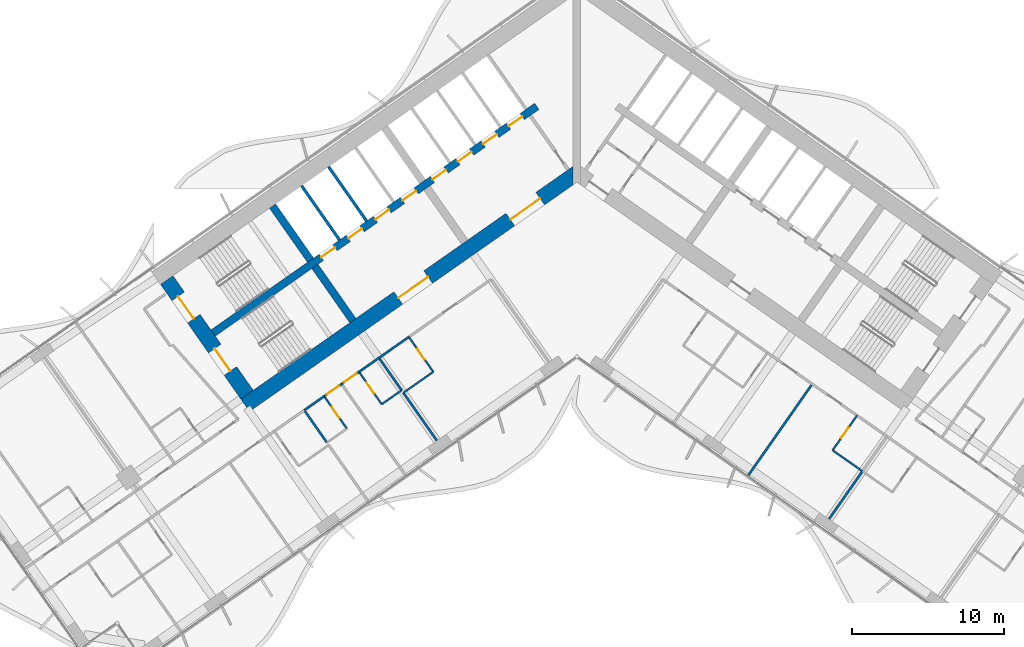
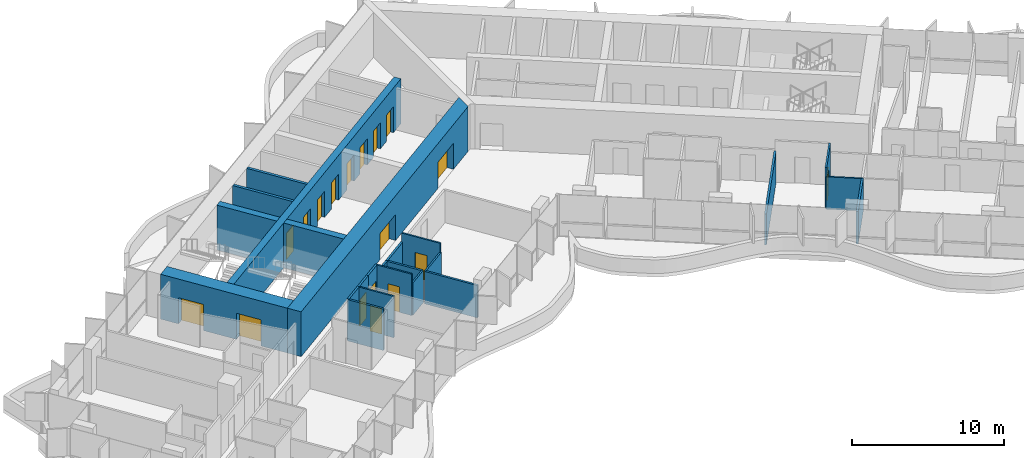
# One storey, part 13 of 23: 24 walls, 18 doors, 18 openings.
"""IFC4 building model written with IfcOpenShell, lengths in metres."""

from ifc_helpers import new_model, si_unit, direction, frame, frame_2d, origin, place, context, subcontext, project, spatial, polyline, rectangle, outline, extrude, material, layer, layer_set, type_object, element, fill, save


model = new_model("IFC4")

# Units and contexts
model_context = context("Model", 3, precision=1e-05, world=origin(), true_north=direction((0.0, 1.0)))
body_context = subcontext(model_context, "Body", "Model", "MODEL_VIEW")
ifc_project = project(units=[si_unit("LENGTHUNIT", "METRE"), si_unit("AREAUNIT", "SQUARE_METRE"), si_unit("VOLUMEUNIT", "CUBIC_METRE"), si_unit("PLANEANGLEUNIT", "RADIAN"), si_unit("MASSUNIT", "GRAM", prefix="KILO")], contexts=[model_context])

# Site, building, storey
site_placement = place(None, origin())
site = spatial("IfcSite", under=ifc_project, at=site_placement, CompositionType="ELEMENT")
building_placement = place(site_placement, origin())
building = spatial("IfcBuilding", under=site, at=building_placement, Name="Tel Ilan Convention Tower", CompositionType="ELEMENT")
storey_placement = place(building_placement, frame((0.0, 0.0, 101.300048828125)))
storey = spatial("IfcBuildingStorey", under=building, at=storey_placement, Name="L21", CompositionType="ELEMENT", Elevation=101.300048828125)

# Wall, openings, doors
ifc_material_1 = material(Name="Concrete C60/75", Category="concrete")
ifc_layer_1 = layer(ifc_material_1, 1.0)
ifc_layer_set_1 = layer_set([ifc_layer_1], Name="Core Shear Wall 1000 mm C60/75")
wall_type_1 = type_object("IfcWallType", Name="Core Shear Wall 1000 mm C60/75", PredefinedType="SHEAR", material=ifc_layer_set_1)
wall_1_placement = place(storey_placement, frame((0.036865234375, -0.584716796875, 0.0), z_axis=(0.0, 0.0, 1.0), x_axis=(-0.819157152511, -0.573569140985, 0.0)))
wall_1 = element("IfcWall", 1, at=wall_1_placement, inside=storey, type_object=wall_type_1, Name="L21 core wall W-front", PredefinedType="SHEAR", context=body_context, shape_type="SweptSolid", body=[
    extrude(outline(polyline([(26.69482421875, 0.500244140625), (0.7001953125, 0.499755859375), (0.0, -0.5), (26.69482421875, -0.499755859375), (26.69482421875, 0.500244140625)])), origin(), (0.0, 0.0, 1.0), 3.599853515625),
])
opening_1_placement = place(wall_1_placement, frame((2.994873046875, 0.0, 0.0)))
opening_1 = element("IfcOpeningElement", 2, at=opening_1_placement, cuts=wall_1, Name="Opening CD1905", PredefinedType="OPENING", context=body_context, shape_type="SweptSolid", body=[
    extrude(rectangle(XDim=2.39990234375, YDim=2.10009765625, at=frame_2d((1.199951171875, 1.050048828125))), frame((0.0, 0.510009765625, 0.0), z_axis=(0.0, -1.0, 0.0), x_axis=(1.0, 0.0, 0.0)), (0.0, 0.0, 1.0), 1.02001953125),
])
opening_2_placement = place(wall_1_placement, frame((11.994873046875, 0.0, 0.0)))
opening_2 = element("IfcOpeningElement", 3, at=opening_2_placement, cuts=wall_1, Name="Opening CD1906", PredefinedType="OPENING", context=body_context, shape_type="SweptSolid", body=[
    extrude(rectangle(XDim=2.39990234375, YDim=2.10009765625, at=frame_2d((1.199951171875, 1.050048828125))), frame((0.0, 0.510009765625, 0.0), z_axis=(0.0, -1.0, 0.0), x_axis=(1.0, 0.0, 0.0)), (0.0, 0.0, 1.0), 1.02001953125),
])
ifc_material_2 = material(Name="Glazed Aluminium Door Leaf", Category="aluminium")
door_type_1 = type_object("IfcDoorType", Name="Lobby Opening Door 2400 x 2100 FD60S", OperationType="NOTDEFINED", PredefinedType="DOOR", material=ifc_material_2)
door_1_placement = place(opening_1_placement, origin())
door_1 = element("IfcDoor", 4, at=door_1_placement, inside=storey, type_object=door_type_1, Name="Lift Lobby LR1-LR4 opening", OperationType="DOUBLE_DOOR_SINGLE_SWING", OverallHeight=2.10009765625, OverallWidth=2.39990234375, PredefinedType="DOOR", context=body_context, shape_type="SweptSolid", body=[
    extrude(rectangle(XDim=2.39990234375, YDim=2.10009765625, at=frame_2d((1.199951171875, 1.050048828125))), frame((0.0, 0.02490234375, 0.0), z_axis=(0.0, -1.0, 0.0), x_axis=(1.0, 0.0, 0.0)), (0.0, 0.0, 1.0), 0.050048828125),
])
fill(opening_1, door_1)
door_2_placement = place(opening_2_placement, origin())
door_2 = element("IfcDoor", 5, at=door_2_placement, inside=storey, type_object=door_type_1, Name="Lift Lobby LR5-LR8 opening", OperationType="DOUBLE_DOOR_SINGLE_SWING", OverallHeight=2.10009765625, OverallWidth=2.39990234375, PredefinedType="DOOR", context=body_context, shape_type="SweptSolid", body=[
    extrude(rectangle(XDim=2.39990234375, YDim=2.10009765625, at=frame_2d((1.199951171875, 1.050048828125))), frame((0.0, 0.02490234375, 0.0), z_axis=(0.0, -1.0, 0.0), x_axis=(1.0, 0.0, 0.0)), (0.0, 0.0, 1.0), 0.050048828125),
])
fill(opening_2, door_2)

wall_2_placement = place(storey_placement, frame((-21.70751953125, -15.19970703125, 0.0), z_axis=(0.0, 0.0, 1.0), x_axis=(-0.573576324356, 0.819152122709, 0.0)))
wall_2 = element("IfcWall", 6, at=wall_2_placement, inside=storey, type_object=wall_type_1, Name="L21 core wall W-end", PredefinedType="SHEAR", context=body_context, shape_type="SweptSolid", body=[
    extrude(outline(polyline([(0.0, 0.5), (0.0, -0.5), (9.199951171875, -0.5), (9.199951171875, 0.5), (0.0, 0.5)])), origin(), (0.0, 0.0, 1.0), 3.599853515625),
])
opening_3_placement = place(wall_2_placement, frame((6.10009765625, 0.0, 0.0)))
opening_3 = element("IfcOpeningElement", 7, at=opening_3_placement, cuts=wall_2, Name="Opening SD1901", PredefinedType="OPENING", context=body_context, shape_type="SweptSolid", body=[
    extrude(rectangle(XDim=1.800048828125, YDim=2.10009765625, at=frame_2d((0.89990234375, 1.050048828125))), frame((0.0, 0.510009765625, 0.0), z_axis=(0.0, -1.0, 0.0), x_axis=(1.0, 0.0, 0.0)), (0.0, 0.0, 1.0), 1.02001953125),
])
opening_4_placement = place(wall_2_placement, frame((1.89990234375, 0.0, 0.0)))
opening_4 = element("IfcOpeningElement", 8, at=opening_4_placement, cuts=wall_2, Name="Opening SD1902", PredefinedType="OPENING", context=body_context, shape_type="SweptSolid", body=[
    extrude(rectangle(XDim=1.800048828125, YDim=2.10009765625, at=frame_2d((0.89990234375, 1.050048828125))), frame((0.0, 0.510009765625, 0.0), z_axis=(0.0, -1.0, 0.0), x_axis=(1.0, 0.0, 0.0)), (0.0, 0.0, 1.0), 1.02001953125),
])
ifc_material_3 = material(Name="Galvanised Steel Door Leaf", Category="steel")
door_type_2 = type_object("IfcDoorType", Name="Stair Fire Door 1800 x 2100 FD60S", OperationType="NOTDEFINED", PredefinedType="DOOR", material=ifc_material_3)
door_3_placement = place(opening_3_placement, origin())
door_3 = element("IfcDoor", 9, at=door_3_placement, inside=storey, type_object=door_type_2, Name="Stair S1 door", OperationType="DOUBLE_DOOR_SINGLE_SWING", OverallHeight=2.10009765625, OverallWidth=1.800048828125, PredefinedType="DOOR", context=body_context, shape_type="SweptSolid", body=[
    extrude(rectangle(XDim=1.800048828125, YDim=2.10009765625, at=frame_2d((0.89990234375, 1.050048828125))), frame((0.0, 0.02490234375, 0.0), z_axis=(0.0, -1.0, 0.0), x_axis=(1.0, 0.0, 0.0)), (0.0, 0.0, 1.0), 0.050048828125),
])
fill(opening_3, door_3)
door_4_placement = place(opening_4_placement, origin())
door_4 = element("IfcDoor", 10, at=door_4_placement, inside=storey, type_object=door_type_2, Name="Stair S2 door", OperationType="DOUBLE_DOOR_SINGLE_SWING", OverallHeight=2.10009765625, OverallWidth=1.800048828125, PredefinedType="DOOR", context=body_context, shape_type="SweptSolid", body=[
    extrude(rectangle(XDim=1.800048828125, YDim=2.10009765625, at=frame_2d((0.89990234375, 1.050048828125))), frame((0.0, 0.02490234375, 0.0), z_axis=(0.0, -1.0, 0.0), x_axis=(1.0, 0.0, 0.0)), (0.0, 0.0, 1.0), 0.050048828125),
])
fill(opening_4, door_4)

# Walls
ifc_material_4 = material(Name="Concrete C60/75", Category="concrete")
ifc_layer_2 = layer(ifc_material_4, 0.5)
ifc_layer_set_2 = layer_set([ifc_layer_2], Name="Core Shear Wall 500 mm C60/75")
wall_type_2 = type_object("IfcWallType", Name="Core Shear Wall 500 mm C60/75", PredefinedType="SHEAR", material=ifc_layer_set_2)
wall_3_placement = place(storey_placement, frame((-14.74462890625, -10.324462890625, 0.0), z_axis=(0.0, 0.0, 1.0), x_axis=(-0.57356780395, 0.819158088694, 0.0)))
element("IfcWall", 11, at=wall_3_placement, inside=storey, type_object=wall_type_2, Name="L21 core wall W-cross2-1", PredefinedType="SHEAR", context=body_context, shape_type="SweptSolid", body=[
    extrude(outline(polyline([(4.35009765625, 0.250244140625), (0.0, 0.25), (0.0, -0.25), (4.35009765625, -0.25), (4.35009765625, 0.250244140625)])), origin(), (0.0, 0.0, 1.0), 3.599853515625),
])
wall_4_placement = place(storey_placement, frame((-17.526611328125, -6.3515625, 0.0), z_axis=(0.0, 0.0, 1.0), x_axis=(-0.573530143085, 0.819184457233, 0.0)))
element("IfcWall", 12, at=wall_4_placement, inside=storey, type_object=wall_type_2, Name="L21 core wall W-cross2-2", PredefinedType="SHEAR", context=body_context, shape_type="SweptSolid", body=[
    extrude(outline(polyline([(4.35009765625, -0.249755859375), (4.35009765625, 0.250244140625), (0.0, 0.25), (0.0, -0.25), (4.35009765625, -0.249755859375)])), origin(), (0.0, 0.0, 1.0), 3.599853515625),
])

# Wall, openings, doors
wall_5_placement = place(storey_placement, frame((-2.638427734375, 3.76806640625, 0.0), z_axis=(0.0, 0.0, 1.0), x_axis=(-0.819148977158, -0.573580816643, 0.0)))
wall_5 = element("IfcWall", 13, at=wall_5_placement, inside=storey, type_object=wall_type_2, Name="L21 core wall W-spine", PredefinedType="SHEAR", context=body_context, shape_type="SweptSolid", body=[
    extrude(outline(polyline([(26.0, 0.249755859375), (0.0, 0.25), (0.0, -0.25), (26.0, -0.250244140625), (26.0, 0.249755859375)])), origin(), (0.0, 0.0, 1.0), 3.599853515625),
])
opening_5_placement = place(wall_5_placement, frame((1.168701171875, 0.0, 0.0)))
opening_5 = element("IfcOpeningElement", 14, at=opening_5_placement, cuts=wall_5, Name="Opening LD1904", PredefinedType="OPENING", context=body_context, shape_type="SweptSolid", body=[
    extrude(rectangle(XDim=1.10009765625, YDim=2.10009765625, at=frame_2d((0.550048828125, 1.050048828125))), frame((0.0, 0.260009765625, 0.0), z_axis=(0.0, -1.0, 0.0), x_axis=(1.0, 0.0, 0.0)), (0.0, 0.0, 1.0), 0.52001953125),
])
opening_6_placement = place(wall_5_placement, frame((3.206298828125, 0.0, 0.0)))
opening_6 = element("IfcOpeningElement", 15, at=opening_6_placement, cuts=wall_5, Name="Opening LD1905", PredefinedType="OPENING", context=body_context, shape_type="SweptSolid", body=[
    extrude(rectangle(XDim=1.10009765625, YDim=2.10009765625, at=frame_2d((0.550048828125, 1.050048828125))), frame((0.0, 0.260009765625, 0.0), z_axis=(0.0, -1.0, 0.0), x_axis=(1.0, 0.0, 0.0)), (0.0, 0.0, 1.0), 0.52001953125),
])
opening_7_placement = place(wall_5_placement, frame((5.24365234375, 0.0, 0.0)))
opening_7 = element("IfcOpeningElement", 16, at=opening_7_placement, cuts=wall_5, Name="Opening LD1906", PredefinedType="OPENING", context=body_context, shape_type="SweptSolid", body=[
    extrude(rectangle(XDim=1.10009765625, YDim=2.10009765625, at=frame_2d((0.550048828125, 1.050048828125))), frame((0.0, 0.260009765625, 0.0), z_axis=(0.0, -1.0, 0.0), x_axis=(1.0, 0.0, 0.0)), (0.0, 0.0, 1.0), 0.52001953125),
])
opening_8_placement = place(wall_5_placement, frame((7.28125, 0.0, 0.0)))
opening_8 = element("IfcOpeningElement", 17, at=opening_8_placement, cuts=wall_5, Name="Opening LD1907", PredefinedType="OPENING", context=body_context, shape_type="SweptSolid", body=[
    extrude(rectangle(XDim=1.10009765625, YDim=2.10009765625, at=frame_2d((0.550048828125, 1.050048828125))), frame((0.0, 0.260009765625, 0.0), z_axis=(0.0, -1.0, 0.0), x_axis=(1.0, 0.0, 0.0)), (0.0, 0.0, 1.0), 0.52001953125),
])
opening_9_placement = place(wall_5_placement, frame((9.6875, 0.0, 0.0)))
opening_9 = element("IfcOpeningElement", 18, at=opening_9_placement, cuts=wall_5, Name="Opening LD1908", PredefinedType="OPENING", context=body_context, shape_type="SweptSolid", body=[
    extrude(rectangle(XDim=1.10009765625, YDim=2.10009765625, at=frame_2d((0.550048828125, 1.050048828125))), frame((0.0, 0.260009765625, 0.0), z_axis=(0.0, -1.0, 0.0), x_axis=(1.0, 0.0, 0.0)), (0.0, 0.0, 1.0), 0.52001953125),
])
opening_10_placement = place(wall_5_placement, frame((11.862548828125, 0.0, 0.0)))
opening_10 = element("IfcOpeningElement", 19, at=opening_10_placement, cuts=wall_5, Name="Opening LD1909", PredefinedType="OPENING", context=body_context, shape_type="SweptSolid", body=[
    extrude(rectangle(XDim=1.10009765625, YDim=2.10009765625, at=frame_2d((0.550048828125, 1.050048828125))), frame((0.0, 0.260009765625, 0.0), z_axis=(0.0, -1.0, 0.0), x_axis=(1.0, 0.0, 0.0)), (0.0, 0.0, 1.0), 0.52001953125),
])
opening_11_placement = place(wall_5_placement, frame((14.03759765625, 0.0, 0.0)))
opening_11 = element("IfcOpeningElement", 20, at=opening_11_placement, cuts=wall_5, Name="Opening LD1910", PredefinedType="OPENING", context=body_context, shape_type="SweptSolid", body=[
    extrude(rectangle(XDim=1.10009765625, YDim=2.10009765625, at=frame_2d((0.550048828125, 1.050048828125))), frame((0.0, 0.260009765625, 0.0), z_axis=(0.0, -1.0, 0.0), x_axis=(1.0, 0.0, 0.0)), (0.0, 0.0, 1.0), 0.52001953125),
])
opening_12_placement = place(wall_5_placement, frame((16.21240234375, 0.0, 0.0)))
opening_12 = element("IfcOpeningElement", 21, at=opening_12_placement, cuts=wall_5, Name="Opening LD1911", PredefinedType="OPENING", context=body_context, shape_type="SweptSolid", body=[
    extrude(rectangle(XDim=1.10009765625, YDim=2.10009765625, at=frame_2d((0.550048828125, 1.050048828125))), frame((0.0, 0.260009765625, 0.0), z_axis=(0.0, -1.0, 0.0), x_axis=(1.0, 0.0, 0.0)), (0.0, 0.0, 1.0), 0.52001953125),
])
ifc_material_5 = material(Name="Stainless Steel Sliding Door Leaf", Category="steel")
door_type_3 = type_object("IfcDoorType", Name="Lift Landing Door 1100 x 2100 FD120", OperationType="NOTDEFINED", PredefinedType="DOOR", material=ifc_material_5)
door_5_placement = place(opening_5_placement, origin())
door_5 = element("IfcDoor", 22, at=door_5_placement, inside=storey, type_object=door_type_3, Name="Lift LR1 landing door", OperationType="SLIDING_TO_LEFT", OverallHeight=2.10009765625, OverallWidth=1.10009765625, PredefinedType="DOOR", context=body_context, shape_type="SweptSolid", body=[
    extrude(rectangle(XDim=1.10009765625, YDim=2.10009765625, at=frame_2d((0.550048828125, 1.050048828125))), frame((0.0, 0.02490234375, 0.0), z_axis=(0.0, -1.0, 0.0), x_axis=(1.0, 0.0, 0.0)), (0.0, 0.0, 1.0), 0.050048828125),
])
fill(opening_5, door_5)
door_6_placement = place(opening_6_placement, origin())
door_6 = element("IfcDoor", 23, at=door_6_placement, inside=storey, type_object=door_type_3, Name="Lift LR2 landing door", OperationType="SLIDING_TO_RIGHT", OverallHeight=2.10009765625, OverallWidth=1.10009765625, PredefinedType="DOOR", context=body_context, shape_type="SweptSolid", body=[
    extrude(rectangle(XDim=1.10009765625, YDim=2.10009765625, at=frame_2d((0.550048828125, 1.050048828125))), frame((0.0, 0.02490234375, 0.0), z_axis=(0.0, -1.0, 0.0), x_axis=(1.0, 0.0, 0.0)), (0.0, 0.0, 1.0), 0.050048828125),
])
fill(opening_6, door_6)
door_7_placement = place(opening_7_placement, origin())
door_7 = element("IfcDoor", 24, at=door_7_placement, inside=storey, type_object=door_type_3, Name="Lift LR3 landing door", OperationType="SLIDING_TO_LEFT", OverallHeight=2.10009765625, OverallWidth=1.10009765625, PredefinedType="DOOR", context=body_context, shape_type="SweptSolid", body=[
    extrude(rectangle(XDim=1.10009765625, YDim=2.10009765625, at=frame_2d((0.550048828125, 1.050048828125))), frame((0.0, 0.02490234375, 0.0), z_axis=(0.0, -1.0, 0.0), x_axis=(1.0, 0.0, 0.0)), (0.0, 0.0, 1.0), 0.050048828125),
])
fill(opening_7, door_7)
door_8_placement = place(opening_8_placement, origin())
door_8 = element("IfcDoor", 25, at=door_8_placement, inside=storey, type_object=door_type_3, Name="Lift LR4 landing door", OperationType="SLIDING_TO_RIGHT", OverallHeight=2.10009765625, OverallWidth=1.10009765625, PredefinedType="DOOR", context=body_context, shape_type="SweptSolid", body=[
    extrude(rectangle(XDim=1.10009765625, YDim=2.10009765625, at=frame_2d((0.550048828125, 1.050048828125))), frame((0.0, 0.02490234375, 0.0), z_axis=(0.0, -1.0, 0.0), x_axis=(1.0, 0.0, 0.0)), (0.0, 0.0, 1.0), 0.050048828125),
])
fill(opening_8, door_8)
door_9_placement = place(opening_9_placement, origin())
door_9 = element("IfcDoor", 26, at=door_9_placement, inside=storey, type_object=door_type_3, Name="Lift LR5 landing door", OperationType="SLIDING_TO_LEFT", OverallHeight=2.10009765625, OverallWidth=1.10009765625, PredefinedType="DOOR", context=body_context, shape_type="SweptSolid", body=[
    extrude(rectangle(XDim=1.10009765625, YDim=2.10009765625, at=frame_2d((0.550048828125, 1.050048828125))), frame((0.0, 0.02490234375, 0.0), z_axis=(0.0, -1.0, 0.0), x_axis=(1.0, 0.0, 0.0)), (0.0, 0.0, 1.0), 0.050048828125),
])
fill(opening_9, door_9)
door_10_placement = place(opening_10_placement, origin())
door_10 = element("IfcDoor", 27, at=door_10_placement, inside=storey, type_object=door_type_3, Name="Lift LR6 landing door", OperationType="SLIDING_TO_RIGHT", OverallHeight=2.10009765625, OverallWidth=1.10009765625, PredefinedType="DOOR", context=body_context, shape_type="SweptSolid", body=[
    extrude(rectangle(XDim=1.10009765625, YDim=2.10009765625, at=frame_2d((0.550048828125, 1.050048828125))), frame((0.0, 0.02490234375, 0.0), z_axis=(0.0, -1.0, 0.0), x_axis=(1.0, 0.0, 0.0)), (0.0, 0.0, 1.0), 0.050048828125),
])
fill(opening_10, door_10)
door_11_placement = place(opening_11_placement, origin())
door_11 = element("IfcDoor", 28, at=door_11_placement, inside=storey, type_object=door_type_3, Name="Lift LR7 landing door", OperationType="SLIDING_TO_LEFT", OverallHeight=2.10009765625, OverallWidth=1.10009765625, PredefinedType="DOOR", context=body_context, shape_type="SweptSolid", body=[
    extrude(rectangle(XDim=1.10009765625, YDim=2.10009765625, at=frame_2d((0.550048828125, 1.050048828125))), frame((0.0, 0.02490234375, 0.0), z_axis=(0.0, -1.0, 0.0), x_axis=(1.0, 0.0, 0.0)), (0.0, 0.0, 1.0), 0.050048828125),
])
fill(opening_11, door_11)
door_12_placement = place(opening_12_placement, origin())
door_12 = element("IfcDoor", 29, at=door_12_placement, inside=storey, type_object=door_type_3, Name="Lift LR8 landing door", OperationType="SLIDING_TO_RIGHT", OverallHeight=2.10009765625, OverallWidth=1.10009765625, PredefinedType="DOOR", context=body_context, shape_type="SweptSolid", body=[
    extrude(rectangle(XDim=1.10009765625, YDim=2.10009765625, at=frame_2d((0.550048828125, 1.050048828125))), frame((0.0, 0.02490234375, 0.0), z_axis=(0.0, -1.0, 0.0), x_axis=(1.0, 0.0, 0.0)), (0.0, 0.0, 1.0), 0.050048828125),
])
fill(opening_12, door_12)

# Wall
ifc_material_6 = material(Name="Plasterboard on Steel Studs", Category="steel")
ifc_layer_3 = layer(ifc_material_6, 0.14990234375)
ifc_layer_set_3 = layer_set([ifc_layer_3], Name="Fire-rated Partition 150 EI 60")
wall_type_3 = type_object("IfcWallType", Name="Fire-rated Partition 150 EI 60", PredefinedType="PARTITIONING", material=ifc_layer_set_3)
wall_6_placement = place(storey_placement, frame((-11.056396484375, -11.404052734375, 0.0), z_axis=(0.0, 0.0, 1.0), x_axis=(-0.819146032251, -0.573585022335, 0.0)))
element("IfcWall", 30, at=wall_6_placement, inside=storey, type_object=wall_type_3, Name="Partition 023", PredefinedType="PARTITIONING", context=body_context, shape_type="SweptSolid", body=[
    extrude(rectangle(XDim=2.404052734375, YDim=0.14990234375, at=frame_2d((1.2021484375, 0.0))), origin(), (0.0, 0.0, 1.0), 2.599853515625),
])

# Wall, opening, door
wall_7_placement = place(storey_placement, frame((-14.333740234375, -13.698974609375, 0.0), z_axis=(0.0, 0.0, 1.0), x_axis=(-0.819199220913, -0.573509055252, 0.0)))
wall_7 = element("IfcWall", 31, at=wall_7_placement, inside=storey, type_object=wall_type_3, Name="Partition 024", PredefinedType="PARTITIONING", context=body_context, shape_type="SweptSolid", body=[
    extrude(rectangle(XDim=1.403076171875, YDim=0.14990234375, at=frame_2d((0.70166015625, 0.0))), origin(), (0.0, 0.0, 1.0), 3.320068359375),
])
opening_13_placement = place(wall_7_placement, frame((0.200927734375, 0.0, 0.0)))
opening_13 = element("IfcOpeningElement", 32, at=opening_13_placement, cuts=wall_7, Name="Opening L21-004", PredefinedType="OPENING", context=body_context, shape_type="SweptSolid", body=[
    extrude(rectangle(XDim=1.0, YDim=2.10009765625, at=frame_2d((0.5, 1.050048828125))), frame((0.0, 0.0849609375, 0.0), z_axis=(0.0, -1.0, 0.0), x_axis=(1.0, 0.0, 0.0)), (0.0, 0.0, 1.0), 0.169921875),
])
ifc_material_7 = material(Name="Timber Door Leaf in Steel Frame", Category="steel")
door_type_4 = type_object("IfcDoorType", Name="Hotel Room Entrance Fire Door 1000x2100", OperationType="NOTDEFINED", PredefinedType="DOOR", material=ifc_material_7)
door_13_placement = place(opening_13_placement, origin())
door_13 = element("IfcDoor", 33, at=door_13_placement, inside=storey, type_object=door_type_4, Name="Door L21-004", OperationType="SINGLE_SWING_LEFT", OverallHeight=2.10009765625, OverallWidth=1.0, PredefinedType="DOOR", context=body_context, shape_type="SweptSolid", body=[
    extrude(rectangle(XDim=1.0, YDim=2.10009765625, at=frame_2d((0.5, 1.050048828125))), frame((0.0, 0.02490234375, 0.0), z_axis=(0.0, -1.0, 0.0), x_axis=(1.0, 0.0, 0.0)), (0.0, 0.0, 1.0), 0.050048828125),
])
fill(opening_13, door_13)

# Wall
wall_8_placement = place(storey_placement, frame((-13.0224609375, -12.78076171875, 0.0), z_axis=(0.0, 0.0, 1.0), x_axis=(-0.819138938282, -0.573595153214, 0.0)))
element("IfcWall", 34, at=wall_8_placement, inside=storey, type_object=wall_type_3, Name="Partition 025", PredefinedType="PARTITIONING", context=body_context, shape_type="SweptSolid", body=[
    extrude(rectangle(XDim=1.603759765625, YDim=0.14990234375, at=frame_2d((0.8017578125, 0.0))), origin(), (0.0, 0.0, 1.0), 2.599853515625),
])

# Wall, opening, door
wall_9_placement = place(storey_placement, frame((-15.479736328125, -14.50146484375, 0.0), z_axis=(0.0, 0.0, 1.0), x_axis=(-0.819199220913, -0.573509055252, 0.0)))
wall_9 = element("IfcWall", 35, at=wall_9_placement, inside=storey, type_object=wall_type_3, Name="Partition 026", PredefinedType="PARTITIONING", context=body_context, shape_type="SweptSolid", body=[
    extrude(rectangle(XDim=1.403076171875, YDim=0.14990234375, at=frame_2d((0.70166015625, 0.0))), origin(), (0.0, 0.0, 1.0), 3.320068359375),
])
opening_14_placement = place(wall_9_placement, frame((0.201904296875, 0.0, 0.0)))
opening_14 = element("IfcOpeningElement", 36, at=opening_14_placement, cuts=wall_9, Name="Opening L21-006", PredefinedType="OPENING", context=body_context, shape_type="SweptSolid", body=[
    extrude(rectangle(XDim=1.0, YDim=2.10009765625, at=frame_2d((0.5, 1.050048828125))), frame((0.0, 0.0849609375, 0.0), z_axis=(0.0, -1.0, 0.0), x_axis=(1.0, 0.0, 0.0)), (0.0, 0.0, 1.0), 0.169921875),
])
door_14_placement = place(opening_14_placement, origin())
door_14 = element("IfcDoor", 37, at=door_14_placement, inside=storey, type_object=door_type_4, Name="Door L21-006", OperationType="SINGLE_SWING_LEFT", OverallHeight=2.10009765625, OverallWidth=1.0, PredefinedType="DOOR", context=body_context, shape_type="SweptSolid", body=[
    extrude(rectangle(XDim=1.0, YDim=2.10009765625, at=frame_2d((0.5, 1.050048828125))), frame((0.0, 0.02490234375, 0.0), z_axis=(0.0, -1.0, 0.0), x_axis=(1.0, 0.0, 0.0)), (0.0, 0.0, 1.0), 0.050048828125),
])
fill(opening_14, door_14)

# Walls
wall_10_placement = place(storey_placement, frame((-16.626708984375, -15.304443359375, 0.0), z_axis=(0.0, 0.0, 1.0), x_axis=(-0.819189013667, -0.573523634986, 0.0)))
element("IfcWall", 38, at=wall_10_placement, inside=storey, type_object=wall_type_3, Name="Partition 027", PredefinedType="PARTITIONING", context=body_context, shape_type="SweptSolid", body=[
    extrude(rectangle(XDim=1.60400390625, YDim=0.14990234375, at=frame_2d((0.802001953125, 0.0))), origin(), (0.0, 0.0, 1.0), 3.320068359375),
])
wall_11_placement = place(storey_placement, frame((15.4814453125, -14.502685546875, 0.0), z_axis=(0.0, 0.0, 1.0), x_axis=(-0.573572324301, -0.819154923562, 0.0)))
element("IfcWall", 39, at=wall_11_placement, inside=storey, type_object=wall_type_3, Name="Partition 051", PredefinedType="PARTITIONING", context=body_context, shape_type="SweptSolid", body=[
    extrude(rectangle(XDim=7.2998046875, YDim=0.14990234375, at=frame_2d((3.64990234375, 0.0))), origin(), (0.0, 0.0, 1.0), 2.5),
])
for number, where, z_axis, x_axis, name in (
    (40, (18.789794921875, -20.238525390625, 0.0), (0.0, 0.0, 1.0), (-0.573594994199, -0.819139049631, 0.0), "Partition 054"),
    (41, (-9.22119140625, -18.212890625, 0.0), (0.0, 0.0, 1.0), (-0.573594994199, 0.819139049631, 0.0), "Partition 078"),
):
    element("IfcWall", number, at=place(storey_placement, frame(where, z_axis=z_axis, x_axis=x_axis)), inside=storey, type_object=wall_type_3, Name=name, PredefinedType="PARTITIONING", context=body_context, shape_type="SweptSolid", body=[
        extrude(rectangle(XDim=3.8291015625, YDim=0.14990234375, at=frame_2d((1.91455078125, 0.0))), origin(), (0.0, 0.0, 1.0), 2.599853515625),
    ])
wall_12_placement = place(storey_placement, frame((-11.531494140625, -14.913330078125, 0.0), z_axis=(0.0, 0.0, 1.0), x_axis=(-0.573544201094, 0.819174614714, 0.0)))
element("IfcWall", 42, at=wall_12_placement, inside=storey, type_object=wall_type_3, Name="Partition 079", PredefinedType="PARTITIONING", context=body_context, shape_type="SweptSolid", body=[
    extrude(rectangle(XDim=2.60205078125, YDim=0.14990234375, at=frame_2d((1.301025390625, 0.0))), origin(), (0.0, 0.0, 1.0), 2.599853515625),
])
wall_13_placement = place(storey_placement, frame((-16.447509765625, -18.35302734375, 0.0), z_axis=(0.0, 0.0, 1.0), x_axis=(-0.573645091666, 0.819103967032, 0.0)))
element("IfcWall", 43, at=wall_13_placement, inside=storey, type_object=wall_type_3, Name="Partition 086", PredefinedType="PARTITIONING", context=body_context, shape_type="SweptSolid", body=[
    extrude(rectangle(XDim=2.599853515625, YDim=0.14990234375, at=frame_2d((1.2998046875, 0.0))), origin(), (0.0, 0.0, 1.0), 3.320068359375),
])
ifc_material_8 = material(Name="Concrete C30/37", Category="concrete")
ifc_layer_4 = layer(ifc_material_8, 0.199951171875)
ifc_layer_set_4 = layer_set([ifc_layer_4], Name="Lift Shaft Wall 200 mm C30/37")
wall_type_4 = type_object("IfcWallType", Name="Lift Shaft Wall 200 mm C30/37", PredefinedType="SOLIDWALL", material=ifc_layer_set_4)
wall_14_placement = place(storey_placement, frame((-13.84033203125, -3.7705078125, 0.0), z_axis=(0.0, 0.0, 1.0), x_axis=(-0.57356780395, 0.819158088694, 0.0)))
element("IfcWall", 44, at=wall_14_placement, inside=storey, type_object=wall_type_4, Name="L21 core wall bank-W2-p1", PredefinedType="SOLIDWALL", context=body_context, shape_type="SweptSolid", body=[
    extrude(rectangle(XDim=4.35009765625, YDim=0.199951171875, at=frame_2d((2.175048828125, 0.0))), origin(), (0.0, 0.0, 1.0), 3.599853515625),
])
wall_15_placement = place(storey_placement, frame((-15.6220703125, -5.017822265625, 0.0), z_axis=(0.0, 0.0, 1.0), x_axis=(-0.573594173421, 0.819139624372, 0.0)))
element("IfcWall", 45, at=wall_15_placement, inside=storey, type_object=wall_type_4, Name="L21 core wall bank-W2-p2", PredefinedType="SOLIDWALL", context=body_context, shape_type="SweptSolid", body=[
    extrude(rectangle(XDim=4.349853515625, YDim=0.199951171875, at=frame_2d((2.1748046875, 0.0))), origin(), (0.0, 0.0, 1.0), 3.599853515625),
])

# Wall, opening, door
ifc_material_9 = material(Name="Plasterboard on Steel Studs", Category="steel")
ifc_layer_5 = layer(ifc_material_9, 0.1201171875)
ifc_layer_set_5 = layer_set([ifc_layer_5], Name="Moisture-resistant Partition 120")
wall_type_5 = type_object("IfcWallType", Name="Moisture-resistant Partition 120", PredefinedType="PARTITIONING", material=ifc_layer_set_5)
wall_16_placement = place(storey_placement, frame((18.4296875, -16.56689453125, 0.0), z_axis=(0.0, 0.0, 1.0), x_axis=(-0.573608623498, -0.819129505664, 0.0)))
wall_16 = element("IfcWall", 46, at=wall_16_placement, inside=storey, type_object=wall_type_5, Name="Partition 052", PredefinedType="PARTITIONING", context=body_context, shape_type="SweptSolid", body=[
    extrude(rectangle(XDim=2.800048828125, YDim=0.1201171875, at=frame_2d((1.39990234375, 0.0))), origin(), (0.0, 0.0, 1.0), 3.320068359375),
])
opening_15_placement = place(wall_16_placement, frame((0.97509765625, 0.0, 0.0)))
opening_15 = element("IfcOpeningElement", 47, at=opening_15_placement, cuts=wall_16, Name="Opening L21-023", PredefinedType="OPENING", context=body_context, shape_type="SweptSolid", body=[
    extrude(rectangle(XDim=0.85009765625, YDim=2.050048828125, at=frame_2d((0.425048828125, 1.02490234375))), frame((0.0, 0.070068359375, 0.0), z_axis=(0.0, -1.0, 0.0), x_axis=(1.0, 0.0, 0.0)), (0.0, 0.0, 1.0), 0.14013671875),
])
ifc_material_10 = material(Name="Timber Door Leaf in Steel Frame", Category="steel")
door_type_5 = type_object("IfcDoorType", Name="Bathroom Timber Door 850x2050", OperationType="NOTDEFINED", PredefinedType="DOOR", material=ifc_material_10)
door_15_placement = place(opening_15_placement, origin())
door_15 = element("IfcDoor", 48, at=door_15_placement, inside=storey, type_object=door_type_5, Name="Door L21-023", OperationType="SINGLE_SWING_LEFT", OverallHeight=2.050048828125, OverallWidth=0.85009765625, PredefinedType="DOOR", context=body_context, shape_type="SweptSolid", body=[
    extrude(rectangle(XDim=0.85009765625, YDim=2.050048828125, at=frame_2d((0.425048828125, 1.02490234375))), frame((0.0, 0.02490234375, 0.0), z_axis=(0.0, -1.0, 0.0), x_axis=(1.0, 0.0, 0.0)), (0.0, 0.0, 1.0), 0.050048828125),
])
fill(opening_15, door_15)

# Walls
for number, where, z_axis, x_axis, name in (
    (49, (16.82373046875, -18.86181640625, 0.0), (0.0, 0.0, 1.0), (0.819141114317, -0.573592045652, 0.0), "Partition 053"),
    (50, (-11.41748046875, -15.076416015625, 0.0), (0.0, 0.0, 1.0), (0.819141114317, 0.573592045652, 0.0), "Partition 076"),
):
    element("IfcWall", number, at=place(storey_placement, frame(where, z_axis=z_axis, x_axis=x_axis)), inside=storey, type_object=wall_type_5, Name=name, PredefinedType="PARTITIONING", context=body_context, shape_type="SweptSolid", body=[
        extrude(rectangle(XDim=2.400146484375, YDim=0.1201171875, at=frame_2d((1.2001953125, 0.0))), origin(), (0.0, 0.0, 1.0), 2.599853515625),
    ])

# Wall, opening, door
wall_17_placement = place(storey_placement, frame((-9.451171875, -13.6982421875, 0.0), z_axis=(0.0, 0.0, 1.0), x_axis=(-0.573591086599, 0.819141785879, 0.0)))
wall_17 = element("IfcWall", 51, at=wall_17_placement, inside=storey, type_object=wall_type_5, Name="Partition 077", PredefinedType="PARTITIONING", context=body_context, shape_type="SweptSolid", body=[
    extrude(rectangle(XDim=2.7998046875, YDim=0.1201171875, at=frame_2d((1.39990234375, 0.0))), origin(), (0.0, 0.0, 1.0), 3.320068359375),
])
opening_16_placement = place(wall_17_placement, frame((0.97509765625, 0.0, 0.0)))
opening_16 = element("IfcOpeningElement", 52, at=opening_16_placement, cuts=wall_17, Name="Opening L21-001", PredefinedType="OPENING", context=body_context, shape_type="SweptSolid", body=[
    extrude(rectangle(XDim=0.85009765625, YDim=2.050048828125, at=frame_2d((0.425048828125, 1.02490234375))), frame((0.0, 0.070068359375, 0.0), z_axis=(0.0, -1.0, 0.0), x_axis=(1.0, 0.0, 0.0)), (0.0, 0.0, 1.0), 0.14013671875),
])
door_16_placement = place(opening_16_placement, origin())
door_16 = element("IfcDoor", 53, at=door_16_placement, inside=storey, type_object=door_type_5, Name="Door L21-001", OperationType="SINGLE_SWING_LEFT", OverallHeight=2.050048828125, OverallWidth=0.85009765625, PredefinedType="DOOR", context=body_context, shape_type="SweptSolid", body=[
    extrude(rectangle(XDim=0.85009765625, YDim=2.050048828125, at=frame_2d((0.425048828125, 1.02490234375))), frame((0.0, 0.02490234375, 0.0), z_axis=(0.0, -1.0, 0.0), x_axis=(1.0, 0.0, 0.0)), (0.0, 0.0, 1.0), 0.050048828125),
])
fill(opening_16, door_16)

wall_18_placement = place(storey_placement, frame((-14.33544921875, -13.7001953125, 0.0), z_axis=(0.0, 0.0, 1.0), x_axis=(0.573582085028, -0.819148089014, 0.0)))
wall_18 = element("IfcWall", 54, at=wall_18_placement, inside=storey, type_object=wall_type_5, Name="Partition 080", PredefinedType="PARTITIONING", context=body_context, shape_type="SweptSolid", body=[
    extrude(rectangle(XDim=2.599853515625, YDim=0.1201171875, at=frame_2d((1.2998046875, 0.0))), origin(), (0.0, 0.0, 1.0), 3.320068359375),
])
opening_17_placement = place(wall_18_placement, frame((0.875, 0.0, 0.0)))
opening_17 = element("IfcOpeningElement", 55, at=opening_17_placement, cuts=wall_18, Name="Opening L21-003", PredefinedType="OPENING", context=body_context, shape_type="SweptSolid", body=[
    extrude(rectangle(XDim=0.85009765625, YDim=2.050048828125, at=frame_2d((0.425048828125, 1.02490234375))), frame((0.0, 0.070068359375, 0.0), z_axis=(0.0, -1.0, 0.0), x_axis=(1.0, 0.0, 0.0)), (0.0, 0.0, 1.0), 0.14013671875),
])
door_17_placement = place(opening_17_placement, origin())
door_17 = element("IfcDoor", 56, at=door_17_placement, inside=storey, type_object=door_type_5, Name="Door L21-003", OperationType="SINGLE_SWING_RIGHT", OverallHeight=2.050048828125, OverallWidth=0.85009765625, PredefinedType="DOOR", context=body_context, shape_type="SweptSolid", body=[
    extrude(rectangle(XDim=0.85009765625, YDim=2.050048828125, at=frame_2d((0.425048828125, 1.02490234375))), frame((0.0, 0.02490234375, 0.0), z_axis=(0.0, -1.0, 0.0), x_axis=(1.0, 0.0, 0.0)), (0.0, 0.0, 1.0), 0.050048828125),
])
fill(opening_17, door_17)

# Wall
wall_19_placement = place(storey_placement, frame((-12.8427734375, -15.830078125, 0.0), z_axis=(0.0, 0.0, 1.0), x_axis=(0.81918174131, 0.573534022273, 0.0)))
element("IfcWall", 57, at=wall_19_placement, inside=storey, type_object=wall_type_5, Name="Partition 081", PredefinedType="PARTITIONING", context=body_context, shape_type="SweptSolid", body=[
    extrude(rectangle(XDim=1.60009765625, YDim=0.1201171875, at=frame_2d((0.800048828125, 0.0))), origin(), (0.0, 0.0, 1.0), 2.599853515625),
])

# Wall, opening, door
wall_20_placement = place(storey_placement, frame((-15.13623046875, -17.434814453125, 0.0), z_axis=(0.0, 0.0, 1.0), x_axis=(-0.573537965655, 0.819178980414, 0.0)))
wall_20 = element("IfcWall", 58, at=wall_20_placement, inside=storey, type_object=wall_type_5, Name="Partition 084", PredefinedType="PARTITIONING", context=body_context, shape_type="SweptSolid", body=[
    extrude(rectangle(XDim=2.60009765625, YDim=0.1201171875, at=frame_2d((1.300048828125, 0.0))), origin(), (0.0, 0.0, 1.0), 3.320068359375),
])
opening_18_placement = place(wall_20_placement, frame((0.875, 0.0, 0.0)))
opening_18 = element("IfcOpeningElement", 59, at=opening_18_placement, cuts=wall_20, Name="Opening L21-005", PredefinedType="OPENING", context=body_context, shape_type="SweptSolid", body=[
    extrude(rectangle(XDim=0.85009765625, YDim=2.050048828125, at=frame_2d((0.425048828125, 1.02490234375))), frame((0.0, 0.070068359375, 0.0), z_axis=(0.0, -1.0, 0.0), x_axis=(1.0, 0.0, 0.0)), (0.0, 0.0, 1.0), 0.14013671875),
])
door_18_placement = place(opening_18_placement, origin())
door_18 = element("IfcDoor", 60, at=door_18_placement, inside=storey, type_object=door_type_5, Name="Door L21-005", OperationType="SINGLE_SWING_RIGHT", OverallHeight=2.050048828125, OverallWidth=0.85009765625, PredefinedType="DOOR", context=body_context, shape_type="SweptSolid", body=[
    extrude(rectangle(XDim=0.85009765625, YDim=2.050048828125, at=frame_2d((0.425048828125, 1.02490234375))), frame((0.0, 0.02490234375, 0.0), z_axis=(0.0, -1.0, 0.0), x_axis=(1.0, 0.0, 0.0)), (0.0, 0.0, 1.0), 0.050048828125),
])
fill(opening_18, door_18)

save(model, "model.ifc")
